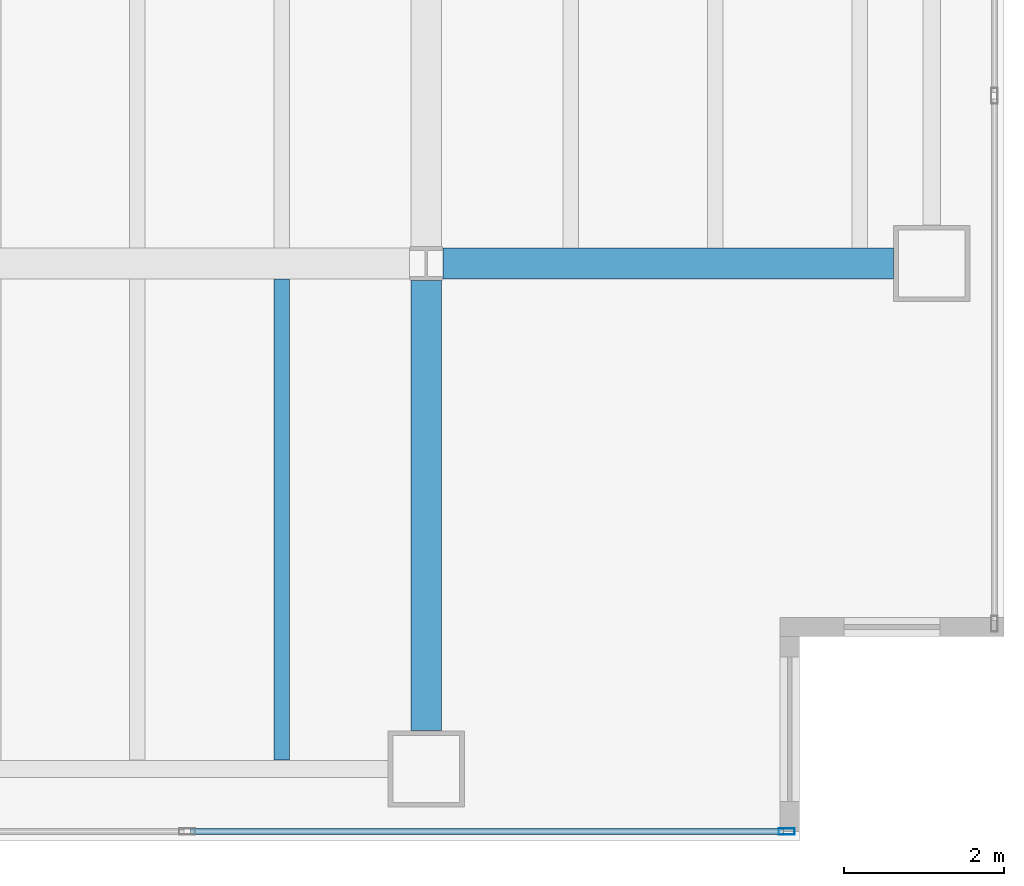
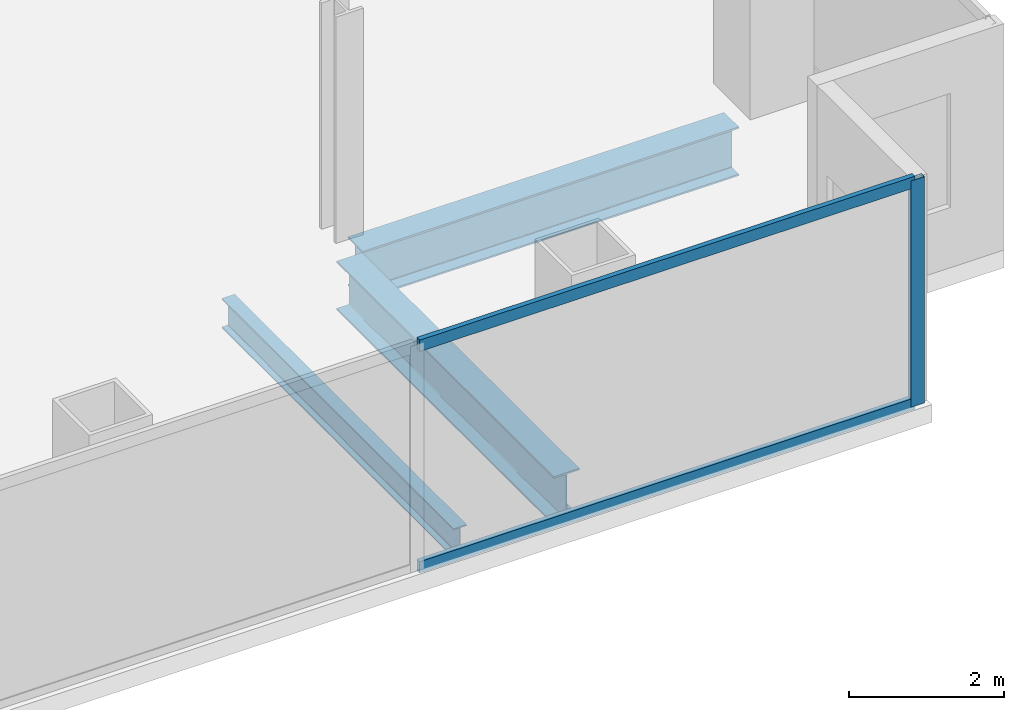
# One storey, part 8 of 23: 3 beams, 3 members, 1 element without a shape of its own.
"""IFC4 building model written with IfcOpenShell, lengths in metres."""

from ifc_helpers import new_model, si_unit, direction, frame, origin, origin_2d, place, context, subcontext, project, spatial, hollow_rectangle, i_section, extrude, material, material_profile, profile_set, type_object, element, aggregate, save


model = new_model("IFC4")

# Units and contexts
model_context = context("Model", 3, precision=1e-05, world=origin(), true_north=direction((0.0, 1.0)))
body_context = subcontext(model_context, "Body", "Model", "MODEL_VIEW")
ifc_project = project(units=[si_unit("LENGTHUNIT", "METRE"), si_unit("AREAUNIT", "SQUARE_METRE"), si_unit("VOLUMEUNIT", "CUBIC_METRE"), si_unit("PLANEANGLEUNIT", "RADIAN"), si_unit("MASSUNIT", "GRAM", prefix="KILO")], contexts=[model_context])

# Site, building, storey
site_placement = place(None, origin())
site = spatial("IfcSite", under=ifc_project, at=site_placement, CompositionType="ELEMENT")
building_placement = place(site_placement, origin())
building = spatial("IfcBuilding", under=site, at=building_placement, Name="Cobrela Telecom Tower", CompositionType="ELEMENT")
storey_placement = place(building_placement, frame((0.0, 0.0, 81.199951171875)))
storey = spatial("IfcBuildingStorey", under=building, at=storey_placement, Name="L20", CompositionType="ELEMENT", Elevation=81.199951171875)

# Beams
ifc_material_1 = material(Name="Steel ASTM A992 Grade 50", Category="steel")
ifc_material_profile_1 = material_profile(ifc_material_1, i_section(OverallWidth=0.381103515625, OverallDepth=0.77197265625, WebThickness=0.0166015625, FlangeThickness=0.027099609375, FilletRadius=0.01904296875, at=origin_2d()), Name="W30X173")
ifc_profile_set_1 = profile_set([ifc_material_profile_1], Name="Steel ASTM A992 Grade 50")
beam_type_1 = type_object("IfcBeamType", Name="BM-GIRD-04", PredefinedType="USERDEFINED", material=ifc_profile_set_1)
for number, where, z_axis, x_axis, name in (
    (1, (43.409423828125, 7.199951171875, -0.666015625), (1.0, 0.0, 0.0), (0.0, 1.0, 0.0), "L20 Primary Girder X12"),
    (2, (43.199951171875, 1.3798828125, -0.666015625), (0.0, 1.0, 0.0), (-1.0, 0.0, 0.0), "L20 Primary Girder Y53"),
):
    element("IfcBeam", number, at=place(storey_placement, frame(where, z_axis=z_axis, x_axis=x_axis)), inside=storey, type_object=beam_type_1, Name=name, ObjectType="GIRDER", PredefinedType="USERDEFINED", context=body_context, shape_type="SweptSolid", body=[
        extrude(i_section(OverallWidth=0.381103515625, OverallDepth=0.77197265625, WebThickness=0.0166015625, FlangeThickness=0.027099609375, FilletRadius=0.01904296875, at=origin_2d()), origin(), (0.0, 0.0, 1.0), 5.610595703125),
    ])
ifc_material_profile_2 = material_profile(ifc_material_1, i_section(OverallWidth=0.193115234375, OverallDepth=0.467041015625, WebThickness=0.011474609375, FlangeThickness=0.01904296875, FilletRadius=0.012939453125, at=origin_2d()), Name="W18X65")
ifc_profile_set_2 = profile_set([ifc_material_profile_2], Name="Steel ASTM A992 Grade 50")
beam_type_2 = type_object("IfcBeamType", Name="BM-JOIST-03", PredefinedType="JOIST", material=ifc_profile_set_2)
beam_placement = place(storey_placement, frame((41.39990234375, 1.011474609375, -0.513427734375), z_axis=(0.0, 1.0, 0.0), x_axis=(-1.0, 0.0, 0.0)))
element("IfcBeam", 3, at=beam_placement, inside=storey, type_object=beam_type_2, Name="L20 Secondary Composite Floor Beam J56", PredefinedType="JOIST", context=body_context, shape_type="SweptSolid", body=[
    extrude(i_section(OverallWidth=0.193115234375, OverallDepth=0.467041015625, WebThickness=0.011474609375, FlangeThickness=0.01904296875, FilletRadius=0.012939453125, at=origin_2d()), origin(), (0.0, 0.0, 1.0), 5.992919921875),
])

# Curtain wall, members
ifc_material_2 = material(Name="Anodized Bronze Aluminium 6063-T6", Category="aluminium")
curtain_wall_type = type_object("IfcCurtainWallType", Name="CW-SYS-DATA", PredefinedType="USERDEFINED", material=ifc_material_2)
curtain_wall_placement = place(storey_placement, origin())
curtain_wall = element("IfcCurtainWall", 4, at=curtain_wall_placement, inside=storey, type_object=curtain_wall_type, Name="L20 Unitised Bronze Curtain Wall 17", ObjectType="UNITISED CURTAIN WALL", PredefinedType="USERDEFINED")
ifc_material_profile_3 = material_profile(ifc_material_2, hollow_rectangle(XDim=0.080078125, YDim=0.199951171875, WallThickness=0.00390625, at=origin_2d()), Name="ALU 80x200x4")
ifc_profile_set_3 = profile_set([ifc_material_profile_3], Name="Anodized Bronze Aluminium 6063-T6")
member_type_1 = type_object("IfcMemberType", Name="CW-SYS-DATA-MUL", PredefinedType="MULLION", material=ifc_profile_set_3)
member_1_placement = place(storey_placement, frame((47.68994140625, 0.1201171875, 0.0), z_axis=(0.0, 0.0, 1.0), x_axis=(0.0, -1.0, 0.0)))
member_1 = element("IfcMember", 5, at=member_1_placement, type_object=member_type_1, Name="CW-DATA mullion 1", PredefinedType="MULLION", context=body_context, shape_type="SweptSolid", body=[
    extrude(hollow_rectangle(XDim=0.080078125, YDim=0.199951171875, WallThickness=0.00390625, at=origin_2d()), origin(), (0.0, 0.0, 1.0), 3.570068359375),
])
ifc_material_profile_4 = material_profile(ifc_material_2, hollow_rectangle(XDim=0.074951171875, YDim=0.179931640625, WallThickness=0.00390625, at=origin_2d()), Name="ALU 75x180x4")
ifc_profile_set_4 = profile_set([ifc_material_profile_4], Name="Anodized Bronze Aluminium 6063-T6")
member_type_2 = type_object("IfcMemberType", Name="CW-SYS-DATA-TRN", PredefinedType="USERDEFINED", material=ifc_profile_set_4)
member_2_placement = place(storey_placement, frame((47.64990234375, 0.1201171875, 0.03759765625), z_axis=(-1.0, 0.0, 0.0), x_axis=(0.0, -1.0, 0.0)))
member_2 = element("IfcMember", 6, at=member_2_placement, type_object=member_type_2, Name="CW-DATA transom 1.1", ObjectType="TRANSOM", PredefinedType="USERDEFINED", context=body_context, shape_type="SweptSolid", body=[
    extrude(hollow_rectangle(XDim=0.074951171875, YDim=0.179931640625, WallThickness=0.00390625, at=origin_2d()), origin(), (0.0, 0.0, 1.0), 7.389892578125),
])
member_3_placement = place(storey_placement, frame((47.64990234375, 0.1201171875, 3.532470703125), z_axis=(-1.0, 0.0, 0.0), x_axis=(0.0, -1.0, 0.0)))
member_3 = element("IfcMember", 7, at=member_3_placement, type_object=member_type_2, Name="CW-DATA transom 1.2", ObjectType="TRANSOM", PredefinedType="USERDEFINED", context=body_context, shape_type="SweptSolid", body=[
    extrude(hollow_rectangle(XDim=0.074951171875, YDim=0.179931640625, WallThickness=0.00390625, at=origin_2d()), origin(), (0.0, 0.0, 1.0), 7.389892578125),
])
aggregate(curtain_wall, [member_1, member_2, member_3])

save(model, "model.ifc")
